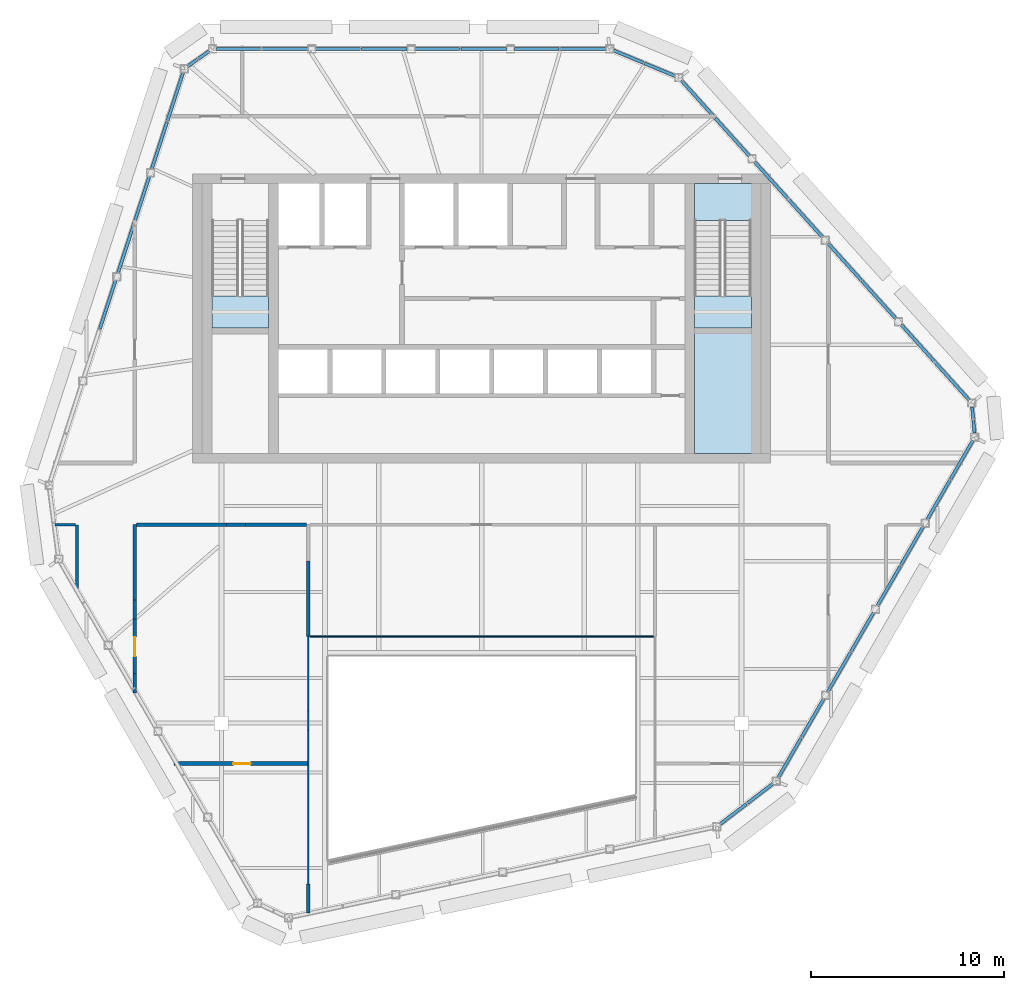
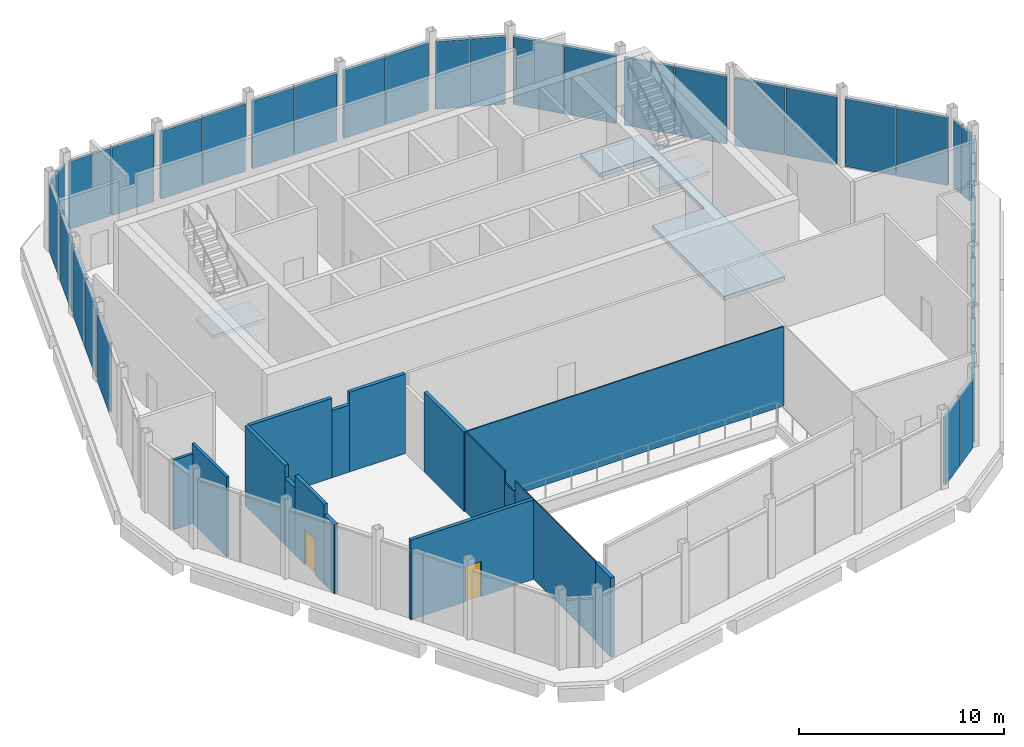
# One storey, part 8 of 12: 37 plates, 17 walls, 3 slabs, 2 doors, 2 openings, 10 elements without a shape of their own.
"""IFC4 building model written with IfcOpenShell, lengths in metres."""

import ifcopenshell
import ifcopenshell.guid

model = None  # the IFC model being written
_history = None  # IfcOwnerHistory: only IFC2X3 demands one
_inside = {}  # id of a spatial element -> (the spatial element, [elements in it])
_under = {}  # id of a project, library or spatial element -> (it, [spatial elements below it])
_declared = {}  # id of a project -> (the project, [libraries it declares])
_typed = {}  # id of a type object -> (the type object, [elements of that type])
_made_of = {}  # id of a material, layer set ... -> (it, [elements and type objects made of it])


def new_model(schema):
    """Start an empty IFC model of exactly this schema.

    Asked for "IFC4X3", IfcOpenShell would pick the latest addendum, in which some entities
    have other attributes; the version numbers below select the first issue.
    IFC2X3 requires an IfcOwnerHistory on every rooted entity: one is made here for all.
    """
    global model, _history
    if schema == "IFC4X3":
        model = ifcopenshell.file(schema_version=(4, 3, 0, 0))
    else:
        model = ifcopenshell.file(schema=schema)
    _inside.clear()
    _under.clear()
    _declared.clear()
    _typed.clear()
    _made_of.clear()
    _history = None
    if model.schema == "IFC2X3":
        org = make("IfcOrganization", Name="unknown")
        user = make(
            "IfcPersonAndOrganization",
            ThePerson=make("IfcPerson", FamilyName="unknown"),
            TheOrganization=org,
        )
        app = make(
            "IfcApplication",
            ApplicationDeveloper=org,
            Version="unknown",
            ApplicationFullName="unknown",
            ApplicationIdentifier="unknown",
        )
        _history = make(
            "IfcOwnerHistory",
            OwningUser=user,
            OwningApplication=app,
            ChangeAction="ADDED",
            CreationDate=0,
        )
    return model


def make(cls, **values):
    """One entity of the class cls with the attributes given. An attribute that is None is left unset."""
    return model.create_entity(
        cls, **{name: value for name, value in values.items() if value is not None}
    )


def rooted(cls, **values):
    """An entity with a GlobalId (a new one), such as an element, a storey or a relation."""
    return make(cls, GlobalId=ifcopenshell.guid.new(), OwnerHistory=_history, **values)


def si_unit(unit_type, name, prefix=None):
    """IfcSIUnit, for example si_unit("LENGTHUNIT", "METRE", prefix="MILLI")."""
    return make("IfcSIUnit", UnitType=unit_type, Prefix=prefix, Name=name)


def assignment(units):
    """IfcUnitAssignment: the units of a project."""
    return None if units is None else make("IfcUnitAssignment", Units=units)


def point(xyz):
    """IfcCartesianPoint."""
    return None if xyz is None else make("IfcCartesianPoint", Coordinates=xyz)


def direction(xyz):
    """IfcDirection."""
    return None if xyz is None else make("IfcDirection", DirectionRatios=xyz)


def frame(location, z_axis=None, x_axis=None):
    """IfcAxis2Placement3D, a coordinate frame: its origin and axes. An axis left out is left unset."""
    return make(
        "IfcAxis2Placement3D",
        Location=point(location),
        Axis=direction(z_axis),
        RefDirection=direction(x_axis),
    )


def frame_2d(location, x_axis=None):
    """IfcAxis2Placement2D, a coordinate frame in the plane: its origin and x axis."""
    return make(
        "IfcAxis2Placement2D", Location=point(location), RefDirection=direction(x_axis)
    )


def origin():
    """The frame at (0, 0, 0) with its axes left unset."""
    return frame((0.0, 0.0, 0.0))


def origin_2d():
    """The frame at (0, 0) in the plane with its x axis left unset."""
    return frame_2d((0.0, 0.0))


def place(relative_to, where):
    """IfcLocalPlacement: puts the frame where relative to a parent placement (None: the world)."""
    return make(
        "IfcLocalPlacement", PlacementRelTo=relative_to, RelativePlacement=where
    )


def context(
    kind, dimensions, precision=None, world=None, true_north=None, identifier=None
):
    """IfcGeometricRepresentationContext, for example the 3D "Model" context."""
    return make(
        "IfcGeometricRepresentationContext",
        ContextIdentifier=identifier,
        ContextType=kind,
        CoordinateSpaceDimension=dimensions,
        Precision=precision,
        WorldCoordinateSystem=world,
        TrueNorth=true_north,
    )


def subcontext(parent, identifier, kind, view, scale=None):
    """IfcGeometricRepresentationSubContext, for example "Body" below "Model"."""
    return make(
        "IfcGeometricRepresentationSubContext",
        ContextIdentifier=identifier,
        ContextType=kind,
        ParentContext=parent,
        TargetScale=scale,
        TargetView=view,
    )


def project(units=None, contexts=None):
    """IfcProject with its units and contexts."""
    return rooted(
        "IfcProject",
        Name="project",
        RepresentationContexts=contexts,
        UnitsInContext=assignment(units),
    )


def spatial(cls, under=None, at=None, **own):
    """A site, building, storey or space (cls), placed at a placement, below another one or the project."""
    s = rooted(cls, ObjectPlacement=at, **own)
    if under is not None:
        _under.setdefault(under.id(), (under, []))[1].append(s)
    return s


def polyline(points):
    """IfcPolyline through the points."""
    return make("IfcPolyline", Points=[point(p) for p in points])


def profile(cls, at=None, kind="AREA", **sizes):
    """A parametric profile (cls). Its sizes go by their IFC names, for example OverallWidth=200.0."""
    return make(cls, ProfileType=kind, Position=at, **sizes)


def rectangle(**sizes):
    """IfcRectangleProfileDef."""
    return profile("IfcRectangleProfileDef", **sizes)


def outline(outer, holes=None, kind="AREA"):
    """IfcArbitraryClosedProfileDef: a profile drawn as a closed curve; with holes, ...WithVoids."""
    if holes is None:
        return make("IfcArbitraryClosedProfileDef", ProfileType=kind, OuterCurve=outer)
    return make(
        "IfcArbitraryProfileDefWithVoids",
        ProfileType=kind,
        OuterCurve=outer,
        InnerCurves=holes,
    )


def extrude(swept, where, along, depth):
    """IfcExtrudedAreaSolid: the profile swept, set in the frame where, extruded along a direction by depth."""
    return make(
        "IfcExtrudedAreaSolid",
        SweptArea=swept,
        Position=where,
        ExtrudedDirection=direction(along),
        Depth=depth,
    )


def shape(context_of_items, identifier, shape_type, items):
    """IfcShapeRepresentation: the items that make up one representation, for example the "Body"."""
    return make(
        "IfcShapeRepresentation",
        ContextOfItems=context_of_items,
        RepresentationIdentifier=identifier,
        RepresentationType=shape_type,
        Items=items,
    )


def material(Name=None, Category=None):
    """IfcMaterial."""
    return make("IfcMaterial", Name=Name, Category=Category)


def layer(
    of_material, thickness, ventilated=None, Name=None, Category=None, Priority=None
):
    """IfcMaterialLayer: one layer of a wall or slab, of a material (None: an air gap)."""
    return make(
        "IfcMaterialLayer",
        Material=of_material,
        LayerThickness=thickness,
        IsVentilated=ventilated,
        Name=Name,
        Category=Category,
        Priority=Priority,
    )


def layer_set(layers, Name=None):
    """IfcMaterialLayerSet."""
    return make("IfcMaterialLayerSet", MaterialLayers=layers, LayerSetName=Name)


def made_of(thing, what):
    """Note that an element or type object is made of a material, layer set ...; save() writes the relation."""
    if what is not None:
        _made_of.setdefault(what.id(), (what, []))[1].append(thing)
    return thing


def type_object(cls, material=None, **own):
    """A type object (cls), such as IfcWallType, which elements share."""
    return made_of(rooted(cls, **own), material)


def element(
    cls,
    number,
    at=None,
    inside=None,
    cuts=None,
    type_object=None,
    material=None,
    context=None,
    identifier="Body",
    shape_type=None,
    held_by="IfcProductDefinitionShape",
    body=None,
    shapes=None,
    **own,
):
    """One element of the class cls, such as IfcWall. Its Tag is "e" and its number.

    at: its placement. inside: the storey or other place that contains it. cuts: it is an
    opening in that element (IfcRelVoidsElement). A single representation is given by context,
    identifier, shape_type and body (its items); several are given by shapes. held_by: the class
    of the entity that holds the representations. save() writes the other relations.
    """
    e = rooted(cls, Tag="e%d" % number, ObjectPlacement=at, **own)
    if body is not None:
        shapes = [shape(context, identifier, shape_type, body)]
    if shapes is not None:
        e.Representation = make(held_by, Representations=shapes)
    if inside is not None:
        _inside.setdefault(inside.id(), (inside, []))[1].append(e)
    if cuts is not None:
        rooted(
            "IfcRelVoidsElement", RelatingBuildingElement=cuts, RelatedOpeningElement=e
        )
    if type_object is not None:
        _typed.setdefault(type_object.id(), (type_object, []))[1].append(e)
    return made_of(e, material)


def fill(opening, filler):
    """IfcRelFillsElement: the door or window that sits in an opening."""
    return rooted(
        "IfcRelFillsElement",
        RelatingOpeningElement=opening,
        RelatedBuildingElement=filler,
    )


def aggregate(whole, parts):
    """IfcRelAggregates: a whole, such as a stair, and the parts it consists of."""
    return rooted("IfcRelAggregates", RelatingObject=whole, RelatedObjects=parts)


def save(model, path):
    """Write the relations noted so far, then the file.

    IfcRelAggregates (storeys below a building ...), IfcRelContainedInSpatialStructure (elements
    in a storey), IfcRelDefinesByType, IfcRelAssociatesMaterial and IfcRelDeclares: one each for
    every whole, place, type object, material and project.
    """
    for whole, parts in _under.values():
        aggregate(whole, parts)
    for where, things in _inside.values():
        rooted(
            "IfcRelContainedInSpatialStructure",
            RelatedElements=things,
            RelatingStructure=where,
        )
    for kind, things in _typed.values():
        rooted("IfcRelDefinesByType", RelatedObjects=things, RelatingType=kind)
    for what, things in _made_of.values():
        rooted("IfcRelAssociatesMaterial", RelatedObjects=things, RelatingMaterial=what)
    for by, libraries in _declared.values():
        rooted("IfcRelDeclares", RelatingContext=by, RelatedDefinitions=libraries)
    model.write(path)


model = new_model("IFC4")

# Units and contexts
model_context = context("Model", 3, precision=1e-05, world=origin(), true_north=direction((0.0, 1.0)))
body_context = subcontext(model_context, "Body", "Model", "MODEL_VIEW")
ifc_project = project(units=[si_unit("LENGTHUNIT", "METRE"), si_unit("AREAUNIT", "SQUARE_METRE"), si_unit("VOLUMEUNIT", "CUBIC_METRE"), si_unit("PLANEANGLEUNIT", "RADIAN"), si_unit("MASSUNIT", "GRAM", prefix="KILO")], contexts=[model_context])

# Site, building, storey
site_placement = place(None, origin())
site = spatial("IfcSite", under=ifc_project, at=site_placement, CompositionType="ELEMENT")
building_placement = place(site_placement, origin())
building = spatial("IfcBuilding", under=site, at=building_placement, Name="Isthmus Gate Tower", CompositionType="ELEMENT")
storey_placement = place(building_placement, frame((0.0, 0.0, 301.10009765625)))
storey = spatial("IfcBuildingStorey", under=building, at=storey_placement, Name="C1", CompositionType="ELEMENT", Elevation=301.10009765625)

# Slab
ifc_material_1 = material(Name="Concrete f'c 40 MPa", Category="concrete")
ifc_layer_1 = layer(ifc_material_1, 0.25)
ifc_layer_set_1 = layer_set([ifc_layer_1], Name="CORE FLOOR SLAB 250")
slab_type_1 = type_object("IfcSlabType", Name="CORE FLOOR SLAB 250", PredefinedType="FLOOR", material=ifc_layer_set_1)
slab_1_placement = place(storey_placement, frame((0.0, 0.0, -0.25)))
element("IfcSlab", 1, at=slab_1_placement, inside=storey, type_object=slab_type_1, Name="C1 core floor", PredefinedType="FLOOR", context=body_context, shape_type="SweptSolid", body=[
    extrude(outline(polyline([(11.050048828125, 14.5), (11.050048828125, 12.597900390625), (14.0, 12.597900390625), (14.0, 7.5), (11.050048828125, 7.5), (11.050048828125, 0.5), (14.5, 0.5), (14.5, 14.5), (11.050048828125, 14.5)])), origin(), (0.0, 0.0, 1.0), 0.25),
])

# Curtain wall, plates
ifc_material_2 = material(Name="Aluminium, pale champagne anodised", Category="aluminium")
ifc_layer_2 = layer(ifc_material_2, 0.199951171875)
ifc_layer_set_2 = layer_set([ifc_layer_2], Name="CW-2 LOUVRE CURTAIN WALL 200 DEEP")
curtain_wall_type = type_object("IfcCurtainWallType", Name="CW-2 LOUVRE CURTAIN WALL 200 DEEP", PredefinedType="NOTDEFINED", material=ifc_layer_set_2)
curtain_wall_1_placement = place(storey_placement, origin())
curtain_wall_1 = element("IfcCurtainWall", 2, at=curtain_wall_1_placement, inside=storey, type_object=curtain_wall_type, Name="CW-2 E00 C1", PredefinedType="NOTDEFINED")
ifc_material_3 = material(Name="Aluminium louvre blades, pale champagne anodised", Category="aluminium")
ifc_layer_3 = layer(ifc_material_3, 0.159912109375)
ifc_layer_set_3 = layer_set([ifc_layer_3], Name="CW-2 LOUVRE PANEL 160")
plate_type = type_object("IfcPlateType", Name="CW-2 LOUVRE PANEL 160", PredefinedType="CURTAIN_PANEL", material=ifc_layer_set_3)
plate_1_placement = place(storey_placement, frame((5.26904296875, 21.5, -0.000244140625), z_axis=(0.0, 0.0, 1.0), x_axis=(-1.0, 0.0, 0.0)))
plate_1 = element("IfcPlate", 3, at=plate_1_placement, type_object=plate_type, Name="CW-2 louvre panel", PredefinedType="CURTAIN_PANEL", context=body_context, shape_type="SweptSolid", body=[
    extrude(rectangle(XDim=2.37548828125, YDim=0.159912109375, at=origin_2d()), origin(), (0.0, 0.0, 1.0), 4.0341796875),
])
plate_2_placement = place(storey_placement, frame((2.863525390625, 21.5, -0.000244140625), z_axis=(0.0, 0.0, 1.0), x_axis=(-1.0, 0.0, 0.0)))
plate_2 = element("IfcPlate", 4, at=plate_2_placement, type_object=plate_type, Name="CW-2 louvre panel", PredefinedType="CURTAIN_PANEL", context=body_context, shape_type="SweptSolid", body=[
    extrude(rectangle(XDim=2.3154296875, YDim=0.159912109375, at=origin_2d()), origin(), (0.0, 0.0, 1.0), 4.0341796875),
])
plate_3_placement = place(storey_placement, frame((0.11181640625, 21.5, -0.000244140625), z_axis=(0.0, 0.0, 1.0), x_axis=(-1.0, 0.0, 0.0)))
plate_3 = element("IfcPlate", 5, at=plate_3_placement, type_object=plate_type, Name="CW-2 louvre panel", PredefinedType="CURTAIN_PANEL", context=body_context, shape_type="SweptSolid", body=[
    extrude(rectangle(XDim=2.37548828125, YDim=0.159912109375, at=origin_2d()), origin(), (0.0, 0.0, 1.0), 4.0341796875),
])
plate_4_placement = place(storey_placement, frame((-2.293701171875, 21.5, -0.000244140625), z_axis=(0.0, 0.0, 1.0), x_axis=(-1.0, 0.0, 0.0)))
plate_4 = element("IfcPlate", 6, at=plate_4_placement, type_object=plate_type, Name="CW-2 louvre panel", PredefinedType="CURTAIN_PANEL", context=body_context, shape_type="SweptSolid", body=[
    extrude(rectangle(XDim=2.3154296875, YDim=0.159912109375, at=origin_2d()), origin(), (0.0, 0.0, 1.0), 4.0341796875),
])
plate_5_placement = place(storey_placement, frame((-5.045654296875, 21.5, -0.000244140625), z_axis=(0.0, 0.0, 1.0), x_axis=(-1.0, 0.0, 0.0)))
plate_5 = element("IfcPlate", 7, at=plate_5_placement, type_object=plate_type, Name="CW-2 louvre panel", PredefinedType="CURTAIN_PANEL", context=body_context, shape_type="SweptSolid", body=[
    extrude(rectangle(XDim=2.37548828125, YDim=0.159912109375, at=origin_2d()), origin(), (0.0, 0.0, 1.0), 4.0341796875),
])
plate_6_placement = place(storey_placement, frame((-7.451171875, 21.5, -0.000244140625), z_axis=(0.0, 0.0, 1.0), x_axis=(-1.0, 0.0, 0.0)))
plate_6 = element("IfcPlate", 8, at=plate_6_placement, type_object=plate_type, Name="CW-2 louvre panel", PredefinedType="CURTAIN_PANEL", context=body_context, shape_type="SweptSolid", body=[
    extrude(rectangle(XDim=2.3154296875, YDim=0.159912109375, at=origin_2d()), origin(), (0.0, 0.0, 1.0), 4.0341796875),
])
plate_7_placement = place(storey_placement, frame((-10.202880859375, 21.5, -0.000244140625), z_axis=(0.0, 0.0, 1.0), x_axis=(-1.0, 0.0, 0.0)))
plate_7 = element("IfcPlate", 9, at=plate_7_placement, type_object=plate_type, Name="CW-2 louvre panel", PredefinedType="CURTAIN_PANEL", context=body_context, shape_type="SweptSolid", body=[
    extrude(rectangle(XDim=2.37548828125, YDim=0.159912109375, at=origin_2d()), origin(), (0.0, 0.0, 1.0), 4.0341796875),
])
plate_8_placement = place(storey_placement, frame((-12.6083984375, 21.5, -0.000244140625), z_axis=(0.0, 0.0, 1.0), x_axis=(-1.0, 0.0, 0.0)))
plate_8 = element("IfcPlate", 10, at=plate_8_placement, type_object=plate_type, Name="CW-2 louvre panel", PredefinedType="CURTAIN_PANEL", context=body_context, shape_type="SweptSolid", body=[
    extrude(rectangle(XDim=2.3154296875, YDim=0.159912109375, at=origin_2d()), origin(), (0.0, 0.0, 1.0), 4.0341796875),
])
aggregate(curtain_wall_1, [plate_1, plate_2, plate_3, plate_4, plate_5, plate_6, plate_7, plate_8])

curtain_wall_2_placement = place(storey_placement, origin())
curtain_wall_2 = element("IfcCurtainWall", 11, at=curtain_wall_2_placement, inside=storey, type_object=curtain_wall_type, Name="CW-2 E01 C1", PredefinedType="NOTDEFINED")
plate_9_placement = place(storey_placement, frame((-14.416259765625, 21.185546875, -0.000244140625), z_axis=(0.0, 0.0, 1.0), x_axis=(-0.81785959165, -0.57541783805, 0.0)))
plate_9 = element("IfcPlate", 12, at=plate_9_placement, type_object=plate_type, Name="CW-2 louvre panel", PredefinedType="CURTAIN_PANEL", context=body_context, shape_type="SweptSolid", body=[
    extrude(rectangle(XDim=0.686767578125, YDim=0.159912109375, at=origin_2d()), origin(), (0.0, 0.0, 1.0), 4.0341796875),
])
plate_10_placement = place(storey_placement, frame((-15.00244140625, 20.773193359375, -0.000244140625), z_axis=(0.0, 0.0, 1.0), x_axis=(-0.81785959165, -0.57541783805, 0.0)))
plate_10 = element("IfcPlate", 13, at=plate_10_placement, type_object=plate_type, Name="CW-2 louvre panel", PredefinedType="CURTAIN_PANEL", context=body_context, shape_type="SweptSolid", body=[
    extrude(rectangle(XDim=0.626708984375, YDim=0.159912109375, at=origin_2d()), origin(), (0.0, 0.0, 1.0), 4.0341796875),
])
aggregate(curtain_wall_2, [plate_9, plate_10])

curtain_wall_3_placement = place(storey_placement, origin())
curtain_wall_3 = element("IfcCurtainWall", 14, at=curtain_wall_3_placement, inside=storey, type_object=curtain_wall_type, Name="CW-2 E02 C1", PredefinedType="NOTDEFINED")
plate_11_placement = place(storey_placement, frame((-15.895263671875, 19.028076171875, -0.000244140625), z_axis=(0.0, 0.0, 1.0), x_axis=(-0.309016994375, -0.951056516295, 0.0)))
plate_11 = element("IfcPlate", 15, at=plate_11_placement, type_object=plate_type, Name="CW-2 louvre panel", PredefinedType="CURTAIN_PANEL", context=body_context, shape_type="SweptSolid", body=[
    extrude(rectangle(XDim=2.638427734375, YDim=0.159912109375, at=origin_2d()), origin(), (0.0, 0.0, 1.0), 4.0341796875),
])
plate_12_placement = place(storey_placement, frame((-16.719970703125, 16.490234375, -0.000244140625), z_axis=(0.0, 0.0, 1.0), x_axis=(-0.309016994375, -0.951056516295, 0.0)))
plate_12 = element("IfcPlate", 16, at=plate_12_placement, type_object=plate_type, Name="CW-2 louvre panel", PredefinedType="CURTAIN_PANEL", context=body_context, shape_type="SweptSolid", body=[
    extrude(rectangle(XDim=2.578369140625, YDim=0.159912109375, at=origin_2d()), origin(), (0.0, 0.0, 1.0), 4.0341796875),
])
plate_13_placement = place(storey_placement, frame((-17.651611328125, 13.623046875, -0.000244140625), z_axis=(0.0, 0.0, 1.0), x_axis=(-0.309016994375, -0.951056516295, 0.0)))
plate_13 = element("IfcPlate", 17, at=plate_13_placement, type_object=plate_type, Name="CW-2 louvre panel", PredefinedType="CURTAIN_PANEL", context=body_context, shape_type="SweptSolid", body=[
    extrude(rectangle(XDim=2.638427734375, YDim=0.159912109375, at=origin_2d()), origin(), (0.0, 0.0, 1.0), 4.0341796875),
])
plate_14_placement = place(storey_placement, frame((-18.47607421875, 11.08544921875, -0.000244140625), z_axis=(0.0, 0.0, 1.0), x_axis=(-0.309016994375, -0.951056516295, 0.0)))
plate_14 = element("IfcPlate", 18, at=plate_14_placement, type_object=plate_type, Name="CW-2 louvre panel", PredefinedType="CURTAIN_PANEL", context=body_context, shape_type="SweptSolid", body=[
    extrude(rectangle(XDim=2.578369140625, YDim=0.159912109375, at=origin_2d()), origin(), (0.0, 0.0, 1.0), 4.0341796875),
])
plate_15_placement = place(storey_placement, frame((-19.40771484375, 8.21826171875, -0.000244140625), z_axis=(0.0, 0.0, 1.0), x_axis=(-0.309016994375, -0.951056516295, 0.0)))
plate_15 = element("IfcPlate", 19, at=plate_15_placement, type_object=plate_type, Name="CW-2 louvre panel", PredefinedType="CURTAIN_PANEL", context=body_context, shape_type="SweptSolid", body=[
    extrude(rectangle(XDim=2.638427734375, YDim=0.159912109375, at=origin_2d()), origin(), (0.0, 0.0, 1.0), 4.0341796875),
])
aggregate(curtain_wall_3, [plate_11, plate_12, plate_13, plate_14, plate_15])

curtain_wall_4_placement = place(storey_placement, origin())
curtain_wall_4 = element("IfcCurtainWall", 20, at=curtain_wall_4_placement, inside=storey, type_object=curtain_wall_type, Name="CW-2 E07 C1", PredefinedType="NOTDEFINED")
plate_16_placement = place(storey_placement, frame((13.064453125, -18.22021484375, -0.000244140625), z_axis=(0.0, 0.0, 1.0), x_axis=(0.794188594387, 0.607671355706, 0.0)))
plate_16 = element("IfcPlate", 21, at=plate_16_placement, type_object=plate_type, Name="CW-2 louvre panel", PredefinedType="CURTAIN_PANEL", context=body_context, shape_type="SweptSolid", body=[
    extrude(rectangle(XDim=1.732421875, YDim=0.159912109375, at=origin_2d()), origin(), (0.0, 0.0, 1.0), 4.0341796875),
])
plate_17_placement = place(storey_placement, frame((14.464111328125, -17.1494140625, -0.000244140625), z_axis=(0.0, 0.0, 1.0), x_axis=(0.794188594387, 0.607671355706, 0.0)))
plate_17 = element("IfcPlate", 22, at=plate_17_placement, type_object=plate_type, Name="CW-2 louvre panel", PredefinedType="CURTAIN_PANEL", context=body_context, shape_type="SweptSolid", body=[
    extrude(rectangle(XDim=1.67236328125, YDim=0.159912109375, at=origin_2d()), origin(), (0.0, 0.0, 1.0), 4.0341796875),
])
aggregate(curtain_wall_4, [plate_16, plate_17])

curtain_wall_5_placement = place(storey_placement, origin())
curtain_wall_5 = element("IfcCurtainWall", 23, at=curtain_wall_5_placement, inside=storey, type_object=curtain_wall_type, Name="CW-2 E08 C1", PredefinedType="NOTDEFINED")
plate_18_placement = place(storey_placement, frame((15.985107421875, -15.313232421875, -0.000244140625), z_axis=(0.0, 0.0, 1.0), x_axis=(0.5, 0.866025403784, 0.0)))
plate_18 = element("IfcPlate", 24, at=plate_18_placement, type_object=plate_type, Name="CW-2 louvre panel", PredefinedType="CURTAIN_PANEL", context=body_context, shape_type="SweptSolid", body=[
    extrude(rectangle(XDim=2.37548828125, YDim=0.159912109375, at=origin_2d()), origin(), (0.0, 0.0, 1.0), 4.0341796875),
])
plate_19_placement = place(storey_placement, frame((17.187744140625, -13.22998046875, -0.000244140625), z_axis=(0.0, 0.0, 1.0), x_axis=(0.5, 0.866025403784, 0.0)))
plate_19 = element("IfcPlate", 25, at=plate_19_placement, type_object=plate_type, Name="CW-2 louvre panel", PredefinedType="CURTAIN_PANEL", context=body_context, shape_type="SweptSolid", body=[
    extrude(rectangle(XDim=2.3154296875, YDim=0.159912109375, at=origin_2d()), origin(), (0.0, 0.0, 1.0), 4.0341796875),
])
plate_20_placement = place(storey_placement, frame((18.563720703125, -10.8466796875, -0.000244140625), z_axis=(0.0, 0.0, 1.0), x_axis=(0.5, 0.866025403784, 0.0)))
plate_20 = element("IfcPlate", 26, at=plate_20_placement, type_object=plate_type, Name="CW-2 louvre panel", PredefinedType="CURTAIN_PANEL", context=body_context, shape_type="SweptSolid", body=[
    extrude(rectangle(XDim=2.37548828125, YDim=0.159912109375, at=origin_2d()), origin(), (0.0, 0.0, 1.0), 4.0341796875),
])
plate_21_placement = place(storey_placement, frame((19.766357421875, -8.763671875, -0.000244140625), z_axis=(0.0, 0.0, 1.0), x_axis=(0.5, 0.866025403784, 0.0)))
plate_21 = element("IfcPlate", 27, at=plate_21_placement, type_object=plate_type, Name="CW-2 louvre panel", PredefinedType="CURTAIN_PANEL", context=body_context, shape_type="SweptSolid", body=[
    extrude(rectangle(XDim=2.3154296875, YDim=0.159912109375, at=origin_2d()), origin(), (0.0, 0.0, 1.0), 4.0341796875),
])
plate_22_placement = place(storey_placement, frame((21.142333984375, -6.38037109375, -0.000244140625), z_axis=(0.0, 0.0, 1.0), x_axis=(0.5, 0.866025403784, 0.0)))
plate_22 = element("IfcPlate", 28, at=plate_22_placement, type_object=plate_type, Name="CW-2 louvre panel", PredefinedType="CURTAIN_PANEL", context=body_context, shape_type="SweptSolid", body=[
    extrude(rectangle(XDim=2.37548828125, YDim=0.159912109375, at=origin_2d()), origin(), (0.0, 0.0, 1.0), 4.0341796875),
])
plate_23_placement = place(storey_placement, frame((22.344970703125, -4.297119140625, -0.000244140625), z_axis=(0.0, 0.0, 1.0), x_axis=(0.5, 0.866025403784, 0.0)))
plate_23 = element("IfcPlate", 29, at=plate_23_placement, type_object=plate_type, Name="CW-2 louvre panel", PredefinedType="CURTAIN_PANEL", context=body_context, shape_type="SweptSolid", body=[
    extrude(rectangle(XDim=2.3154296875, YDim=0.159912109375, at=origin_2d()), origin(), (0.0, 0.0, 1.0), 4.0341796875),
])
plate_24_placement = place(storey_placement, frame((23.720947265625, -1.9140625, -0.000244140625), z_axis=(0.0, 0.0, 1.0), x_axis=(0.5, 0.866025403784, 0.0)))
plate_24 = element("IfcPlate", 30, at=plate_24_placement, type_object=plate_type, Name="CW-2 louvre panel", PredefinedType="CURTAIN_PANEL", context=body_context, shape_type="SweptSolid", body=[
    extrude(rectangle(XDim=2.37548828125, YDim=0.159912109375, at=origin_2d()), origin(), (0.0, 0.0, 1.0), 4.0341796875),
])
plate_25_placement = place(storey_placement, frame((24.923828125, 0.169189453125, -0.000244140625), z_axis=(0.0, 0.0, 1.0), x_axis=(0.5, 0.866025403784, 0.0)))
plate_25 = element("IfcPlate", 31, at=plate_25_placement, type_object=plate_type, Name="CW-2 louvre panel", PredefinedType="CURTAIN_PANEL", context=body_context, shape_type="SweptSolid", body=[
    extrude(rectangle(XDim=2.3154296875, YDim=0.159912109375, at=origin_2d()), origin(), (0.0, 0.0, 1.0), 4.0341796875),
])
aggregate(curtain_wall_5, [plate_18, plate_19, plate_20, plate_21, plate_22, plate_23, plate_24, plate_25])

curtain_wall_6_placement = place(storey_placement, origin())
curtain_wall_6 = element("IfcCurtainWall", 32, at=curtain_wall_6_placement, inside=storey, type_object=curtain_wall_type, Name="CW-2 E09 C1", PredefinedType="NOTDEFINED")
plate_26_placement = place(storey_placement, frame((25.555419921875, 1.89208984375, -0.000244140625), z_axis=(0.0, 0.0, 1.0), x_axis=(-0.089396669717, 0.995996102123, 0.0)))
plate_26 = element("IfcPlate", 33, at=plate_26_placement, type_object=plate_type, Name="CW-2 louvre panel", PredefinedType="CURTAIN_PANEL", context=body_context, shape_type="SweptSolid", body=[
    extrude(rectangle(XDim=0.686767578125, YDim=0.159912109375, at=origin_2d()), origin(), (0.0, 0.0, 1.0), 4.0341796875),
])
plate_27_placement = place(storey_placement, frame((25.4912109375, 2.60595703125, -0.000244140625), z_axis=(0.0, 0.0, 1.0), x_axis=(-0.089396669717, 0.995996102123, 0.0)))
plate_27 = element("IfcPlate", 34, at=plate_27_placement, type_object=plate_type, Name="CW-2 louvre panel", PredefinedType="CURTAIN_PANEL", context=body_context, shape_type="SweptSolid", body=[
    extrude(rectangle(XDim=0.626708984375, YDim=0.159912109375, at=origin_2d()), origin(), (0.0, 0.0, 1.0), 4.0341796875),
])
aggregate(curtain_wall_6, [plate_26, plate_27])

curtain_wall_7_placement = place(storey_placement, origin())
curtain_wall_7 = element("IfcCurtainWall", 35, at=curtain_wall_7_placement, inside=storey, type_object=curtain_wall_type, Name="CW-2 E10 C1", PredefinedType="NOTDEFINED")
plate_28_placement = place(storey_placement, frame((24.426513671875, 4.251708984375, -0.000244140625), z_axis=(0.0, 0.0, 1.0), x_axis=(-0.669130606359, 0.743144825477, 0.0)))
plate_28 = element("IfcPlate", 36, at=plate_28_placement, type_object=plate_type, Name="CW-2 louvre panel", PredefinedType="CURTAIN_PANEL", context=body_context, shape_type="SweptSolid", body=[
    extrude(rectangle(XDim=2.638427734375, YDim=0.159912109375, at=origin_2d()), origin(), (0.0, 0.0, 1.0), 4.0341796875),
])
plate_29_placement = place(storey_placement, frame((22.64111328125, 6.234619140625, -0.000244140625), z_axis=(0.0, 0.0, 1.0), x_axis=(-0.669130606359, 0.743144825477, 0.0)))
plate_29 = element("IfcPlate", 37, at=plate_29_placement, type_object=plate_type, Name="CW-2 louvre panel", PredefinedType="CURTAIN_PANEL", context=body_context, shape_type="SweptSolid", body=[
    extrude(rectangle(XDim=2.578369140625, YDim=0.159912109375, at=origin_2d()), origin(), (0.0, 0.0, 1.0), 4.0341796875),
])
plate_30_placement = place(storey_placement, frame((20.623779296875, 8.47509765625, -0.000244140625), z_axis=(0.0, 0.0, 1.0), x_axis=(-0.669130606359, 0.743144825477, 0.0)))
plate_30 = element("IfcPlate", 38, at=plate_30_placement, type_object=plate_type, Name="CW-2 louvre panel", PredefinedType="CURTAIN_PANEL", context=body_context, shape_type="SweptSolid", body=[
    extrude(rectangle(XDim=2.638427734375, YDim=0.159912109375, at=origin_2d()), origin(), (0.0, 0.0, 1.0), 4.0341796875),
])
plate_31_placement = place(storey_placement, frame((18.83837890625, 10.4580078125, -0.000244140625), z_axis=(0.0, 0.0, 1.0), x_axis=(-0.669130606359, 0.743144825477, 0.0)))
plate_31 = element("IfcPlate", 39, at=plate_31_placement, type_object=plate_type, Name="CW-2 louvre panel", PredefinedType="CURTAIN_PANEL", context=body_context, shape_type="SweptSolid", body=[
    extrude(rectangle(XDim=2.578369140625, YDim=0.159912109375, at=origin_2d()), origin(), (0.0, 0.0, 1.0), 4.0341796875),
])
plate_32_placement = place(storey_placement, frame((16.821044921875, 12.698486328125, -0.000244140625), z_axis=(0.0, 0.0, 1.0), x_axis=(-0.669130606359, 0.743144825477, 0.0)))
plate_32 = element("IfcPlate", 40, at=plate_32_placement, type_object=plate_type, Name="CW-2 louvre panel", PredefinedType="CURTAIN_PANEL", context=body_context, shape_type="SweptSolid", body=[
    extrude(rectangle(XDim=2.638427734375, YDim=0.159912109375, at=origin_2d()), origin(), (0.0, 0.0, 1.0), 4.0341796875),
])
plate_33_placement = place(storey_placement, frame((15.03564453125, 14.681396484375, -0.000244140625), z_axis=(0.0, 0.0, 1.0), x_axis=(-0.669130606359, 0.743144825477, 0.0)))
plate_33 = element("IfcPlate", 41, at=plate_33_placement, type_object=plate_type, Name="CW-2 louvre panel", PredefinedType="CURTAIN_PANEL", context=body_context, shape_type="SweptSolid", body=[
    extrude(rectangle(XDim=2.578369140625, YDim=0.159912109375, at=origin_2d()), origin(), (0.0, 0.0, 1.0), 4.0341796875),
])
plate_34_placement = place(storey_placement, frame((13.018310546875, 16.921630859375, -0.000244140625), z_axis=(0.0, 0.0, 1.0), x_axis=(-0.669130606359, 0.743144825477, 0.0)))
plate_34 = element("IfcPlate", 42, at=plate_34_placement, type_object=plate_type, Name="CW-2 louvre panel", PredefinedType="CURTAIN_PANEL", context=body_context, shape_type="SweptSolid", body=[
    extrude(rectangle(XDim=2.638427734375, YDim=0.159912109375, at=origin_2d()), origin(), (0.0, 0.0, 1.0), 4.0341796875),
])
plate_35_placement = place(storey_placement, frame((11.23291015625, 18.904541015625, -0.000244140625), z_axis=(0.0, 0.0, 1.0), x_axis=(-0.669130606359, 0.743144825477, 0.0)))
plate_35 = element("IfcPlate", 43, at=plate_35_placement, type_object=plate_type, Name="CW-2 louvre panel", PredefinedType="CURTAIN_PANEL", context=body_context, shape_type="SweptSolid", body=[
    extrude(rectangle(XDim=2.578369140625, YDim=0.159912109375, at=origin_2d()), origin(), (0.0, 0.0, 1.0), 4.0341796875),
])
aggregate(curtain_wall_7, [plate_28, plate_29, plate_30, plate_31, plate_32, plate_33, plate_34, plate_35])

curtain_wall_8_placement = place(storey_placement, origin())
curtain_wall_8 = element("IfcCurtainWall", 44, at=curtain_wall_8_placement, inside=storey, type_object=curtain_wall_type, Name="CW-2 E11 C1", PredefinedType="NOTDEFINED")
plate_36_placement = place(storey_placement, frame((9.2470703125, 20.42431640625, -0.000244140625), z_axis=(0.0, 0.0, 1.0), x_axis=(-0.923353128387, 0.383951820282, 0.0)))
plate_36 = element("IfcPlate", 45, at=plate_36_placement, type_object=plate_type, Name="CW-2 louvre panel", PredefinedType="CURTAIN_PANEL", context=body_context, shape_type="SweptSolid", body=[
    extrude(rectangle(XDim=1.732421875, YDim=0.159912109375, at=origin_2d()), origin(), (0.0, 0.0, 1.0), 4.0341796875),
])
plate_37_placement = place(storey_placement, frame((7.61962890625, 21.100830078125, -0.000244140625), z_axis=(0.0, 0.0, 1.0), x_axis=(-0.923353128387, 0.383951820282, 0.0)))
plate_37 = element("IfcPlate", 46, at=plate_37_placement, type_object=plate_type, Name="CW-2 louvre panel", PredefinedType="CURTAIN_PANEL", context=body_context, shape_type="SweptSolid", body=[
    extrude(rectangle(XDim=1.67236328125, YDim=0.159912109375, at=origin_2d()), origin(), (0.0, 0.0, 1.0), 4.0341796875),
])
aggregate(curtain_wall_8, [plate_36, plate_37])

# Stair, slab
ifc_material_4 = material(Name="Concrete f'c 40 MPa", Category="concrete")
stair_type = type_object("IfcStairType", Name="CORE STAIR 30 RISERS", PredefinedType="HALF_TURN_STAIR", material=ifc_material_4)
stair_1_placement = place(storey_placement, origin())
stair_1 = element("IfcStair", 47, at=stair_1_placement, inside=storey, type_object=stair_type, Name="C1 Exit Stair 1", PredefinedType="HALF_TURN_STAIR")
ifc_material_5 = material(Name="Concrete f'c 40 MPa", Category="concrete")
ifc_layer_4 = layer(ifc_material_5, 0.199951171875)
ifc_layer_set_4 = layer_set([ifc_layer_4])
slab_type_2 = type_object("IfcSlabType", Name="STAIR LANDING RC 200", PredefinedType="LANDING", material=ifc_layer_set_4)
slab_2_placement = place(storey_placement, frame((0.0, 0.0, 2.2998046875)))
slab_2 = element("IfcSlab", 48, at=slab_2_placement, type_object=slab_type_2, Name="ST1 landing 1", PredefinedType="LANDING", context=body_context, shape_type="SweptSolid", body=[
    extrude(outline(polyline([(-14.0, 8.679931640625), (-14.0, 7.0), (-11.050048828125, 7.0), (-11.050048828125, 8.679931640625), (-14.0, 8.679931640625)])), origin(), (0.0, 0.0, 1.0), 0.2001953125),
])
aggregate(stair_1, [slab_2])

stair_2_placement = place(storey_placement, origin())
stair_2 = element("IfcStair", 49, at=stair_2_placement, inside=storey, type_object=stair_type, Name="C1 Exit Stair 2", PredefinedType="HALF_TURN_STAIR")
slab_3_placement = place(storey_placement, frame((0.0, 0.0, 2.2998046875)))
slab_3 = element("IfcSlab", 50, at=slab_3_placement, type_object=slab_type_2, Name="ST2 landing 1", PredefinedType="LANDING", context=body_context, shape_type="SweptSolid", body=[
    extrude(outline(polyline([(11.050048828125, 8.679931640625), (11.050048828125, 7.0), (14.0, 7.0), (14.0, 8.679931640625), (11.050048828125, 8.679931640625)])), origin(), (0.0, 0.0, 1.0), 0.2001953125),
])
aggregate(stair_2, [slab_3])

# Wall, opening, door
ifc_material_6 = material(Name="Concrete f'c 30 MPa", Category="concrete")
ifc_layer_5 = layer(ifc_material_6, 0.199951171875)
ifc_layer_set_5 = layer_set([ifc_layer_5], Name="Fire-rated block wall 200")
wall_type_1 = type_object("IfcWallType", Name="Fire-rated block wall 200", PredefinedType="PARTITIONING", material=ifc_layer_set_5)
wall_1_placement = place(storey_placement, frame((-15.954833984375, -15.60009765625, 0.0), z_axis=(0.0, 0.0, 1.0), x_axis=(1.0, 0.0, 0.0)))
wall_1 = element("IfcWall", 51, at=wall_1_placement, inside=storey, type_object=wall_type_1, Name="Fire-rated wall", PredefinedType="PARTITIONING", context=body_context, shape_type="SweptSolid", body=[
    extrude(rectangle(XDim=6.9248046875, YDim=0.199951171875, at=frame_2d((3.46240234375, 0.0))), origin(), (0.0, 0.0, 1.0), 4.75),
])
opening_1_placement = place(wall_1_placement, frame((3.070068359375, 0.0, 0.0)))
opening_1 = element("IfcOpeningElement", 52, at=opening_1_placement, cuts=wall_1, Name="Opening DP77-08", PredefinedType="OPENING", context=body_context, shape_type="SweptSolid", body=[
    extrude(rectangle(XDim=0.89990234375, YDim=2.10009765625, at=frame_2d((0.449951171875, 1.050048828125))), frame((0.0, 0.10986328125, 0.0), z_axis=(0.0, -1.0, 0.0), x_axis=(1.0, 0.0, 0.0)), (0.0, 0.0, 1.0), 0.219970703125),
])
ifc_material_7 = material(Name="Steel fire door with intumescent seals", Category="steel")
door_type_1 = type_object("IfcDoorType", Name="Fire door 900 x 2100", OperationType="SINGLE_SWING_LEFT", PredefinedType="DOOR", material=ifc_material_7)
door_1_placement = place(opening_1_placement, origin())
door_1 = element("IfcDoor", 53, at=door_1_placement, inside=storey, type_object=door_type_1, Name="Door DP77-08", OperationType="SINGLE_SWING_LEFT", OverallHeight=2.10009765625, OverallWidth=0.89990234375, PredefinedType="DOOR", context=body_context, shape_type="SweptSolid", body=[
    extrude(rectangle(XDim=0.89990234375, YDim=2.10009765625, at=frame_2d((0.449951171875, 1.050048828125))), frame((0.0, 0.02490234375, 0.0), z_axis=(0.0, -1.0, 0.0), x_axis=(1.0, 0.0, 0.0)), (0.0, 0.0, 1.0), 0.050048828125),
])
fill(opening_1, door_1)

# Walls
wall_2_placement = place(storey_placement, frame((-17.89990234375, -3.199951171875, 0.0), z_axis=(0.0, 0.0, 1.0), x_axis=(1.0, 0.0, 0.0)))
element("IfcWall", 54, at=wall_2_placement, inside=storey, type_object=wall_type_1, Name="Fire-rated wall", PredefinedType="PARTITIONING", context=body_context, shape_type="SweptSolid", body=[
    extrude(rectangle(XDim=4.648193359375, YDim=0.199951171875, at=frame_2d((2.32421875, 0.0))), origin(), (0.0, 0.0, 1.0), 4.75),
])
wall_3_placement = place(storey_placement, frame((-13.251708984375, -3.199951171875, 0.0), z_axis=(0.0, 0.0, 1.0), x_axis=(1.0, 0.0, 0.0)))
element("IfcWall", 55, at=wall_3_placement, inside=storey, type_object=wall_type_1, Name="Fire-rated wall", PredefinedType="PARTITIONING", context=body_context, shape_type="SweptSolid", body=[
    extrude(rectangle(XDim=1.0, YDim=0.199951171875, at=frame_2d((0.5, 0.0))), origin(), (0.0, 0.0, 1.0), 4.00048828125),
])
wall_4_placement = place(storey_placement, frame((-12.251708984375, -3.199951171875, 0.0), z_axis=(0.0, 0.0, 1.0), x_axis=(1.0, 0.0, 0.0)))
element("IfcWall", 56, at=wall_4_placement, inside=storey, type_object=wall_type_1, Name="Fire-rated wall", PredefinedType="PARTITIONING", context=body_context, shape_type="SweptSolid", body=[
    extrude(rectangle(XDim=3.151611328125, YDim=0.199951171875, at=frame_2d((1.57568359375, 0.0))), origin(), (0.0, 0.0, 1.0), 4.75),
])
wall_5_placement = place(storey_placement, frame((-18.0, -11.93310546875, 0.0), z_axis=(0.0, 0.0, 1.0), x_axis=(0.0, 1.0, 0.0)))
element("IfcWall", 57, at=wall_5_placement, inside=storey, type_object=wall_type_1, Name="Fire-rated wall", PredefinedType="PARTITIONING", context=body_context, shape_type="SweptSolid", body=[
    extrude(rectangle(XDim=1.0, YDim=0.199951171875, at=frame_2d((0.5, 0.0))), origin(), (0.0, 0.0, 1.0), 4.134033203125),
])

# Wall, opening, door
wall_6_placement = place(storey_placement, frame((-18.0, -10.93310546875, 0.0), z_axis=(0.0, 0.0, 1.0), x_axis=(0.0, 1.0, 0.0)))
wall_6 = element("IfcWall", 58, at=wall_6_placement, inside=storey, type_object=wall_type_1, Name="Fire-rated wall", PredefinedType="PARTITIONING", context=body_context, shape_type="SweptSolid", body=[
    extrude(rectangle(XDim=2.829345703125, YDim=0.199951171875, at=frame_2d((1.41455078125, 0.0))), origin(), (0.0, 0.0, 1.0), 4.75),
])
opening_2_placement = place(wall_6_placement, frame((0.89990234375, 0.0, 0.0)))
opening_2 = element("IfcOpeningElement", 59, at=opening_2_placement, cuts=wall_6, Name="Opening DP77-06", PredefinedType="OPENING", context=body_context, shape_type="SweptSolid", body=[
    extrude(rectangle(XDim=1.0, YDim=2.10009765625, at=frame_2d((0.5, 1.050048828125))), frame((0.0, 0.10986328125, 0.0), z_axis=(0.0, -1.0, 0.0), x_axis=(1.0, 0.0, 0.0)), (0.0, 0.0, 1.0), 0.219970703125),
])
ifc_material_8 = material(Name="Steel fire door with intumescent seals", Category="steel")
door_type_2 = type_object("IfcDoorType", Name="Fire door 1000 x 2100", OperationType="SINGLE_SWING_LEFT", PredefinedType="DOOR", material=ifc_material_8)
door_2_placement = place(opening_2_placement, origin())
door_2 = element("IfcDoor", 60, at=door_2_placement, inside=storey, type_object=door_type_2, Name="Door DP77-06", OperationType="SINGLE_SWING_LEFT", OverallHeight=2.10009765625, OverallWidth=1.0, PredefinedType="DOOR", context=body_context, shape_type="SweptSolid", body=[
    extrude(rectangle(XDim=1.0, YDim=2.10009765625, at=frame_2d((0.5, 1.050048828125))), frame((0.0, 0.02490234375, 0.0), z_axis=(0.0, -1.0, 0.0), x_axis=(1.0, 0.0, 0.0)), (0.0, 0.0, 1.0), 0.050048828125),
])
fill(opening_2, door_2)

# Walls
wall_7_placement = place(storey_placement, frame((-18.0, -8.103759765625, 0.0), z_axis=(0.0, 0.0, 1.0), x_axis=(0.0, 1.0, 0.0)))
element("IfcWall", 61, at=wall_7_placement, inside=storey, type_object=wall_type_1, Name="Fire-rated wall", PredefinedType="PARTITIONING", context=body_context, shape_type="SweptSolid", body=[
    extrude(rectangle(XDim=1.0, YDim=0.199951171875, at=frame_2d((0.5, 0.0))), origin(), (0.0, 0.0, 1.0), 4.00048828125),
])
wall_8_placement = place(storey_placement, frame((-18.0, -7.103759765625, 0.0), z_axis=(0.0, 0.0, 1.0), x_axis=(0.0, 1.0, 0.0)))
element("IfcWall", 62, at=wall_8_placement, inside=storey, type_object=wall_type_1, Name="Fire-rated wall", PredefinedType="PARTITIONING", context=body_context, shape_type="SweptSolid", body=[
    extrude(rectangle(XDim=3.90380859375, YDim=0.199951171875, at=frame_2d((1.951904296875, 0.0))), origin(), (0.0, 0.0, 1.0), 4.75),
])
wall_9_placement = place(storey_placement, frame((-9.0, -23.348876953125, 0.0), z_axis=(0.0, 0.0, 1.0), x_axis=(0.0, 1.0, 0.0)))
element("IfcWall", 63, at=wall_9_placement, inside=storey, type_object=wall_type_1, Name="Fire-rated wall", PredefinedType="PARTITIONING", context=body_context, shape_type="SweptSolid", body=[
    extrude(rectangle(XDim=1.5029296875, YDim=0.199951171875, at=frame_2d((0.75146484375, 0.0))), origin(), (0.0, 0.0, 1.0), 4.75),
])
wall_10_placement = place(storey_placement, frame((-9.0, -9.0, 0.0), z_axis=(0.0, 0.0, 1.0), x_axis=(0.0, 1.0, 0.0)))
element("IfcWall", 64, at=wall_10_placement, inside=storey, type_object=wall_type_1, Name="Fire-rated wall", PredefinedType="PARTITIONING", context=body_context, shape_type="SweptSolid", body=[
    extrude(rectangle(XDim=3.910888671875, YDim=0.199951171875, at=frame_2d((1.95556640625, 0.0))), origin(), (0.0, 0.0, 1.0), 4.75),
])
ifc_material_9 = material(Name="Fire-rated laminated glass in steel frame", Category="steel")
ifc_layer_6 = layer(ifc_material_9, 0.06005859375)
ifc_layer_set_6 = layer_set([ifc_layer_6], Name="Fire-rated glazed atrium screen 60")
wall_type_2 = type_object("IfcWallType", Name="Fire-rated glazed atrium screen 60", PredefinedType="PARTITIONING", material=ifc_layer_set_6)
wall_11_placement = place(storey_placement, frame((-8.89990234375, -9.0, 0.0), z_axis=(0.0, 0.0, 1.0), x_axis=(1.0, 0.0, 0.0)))
element("IfcWall", 65, at=wall_11_placement, inside=storey, type_object=wall_type_2, Name="Atrium screen", PredefinedType="PARTITIONING", context=body_context, shape_type="SweptSolid", body=[
    extrude(rectangle(XDim=17.824951171875, YDim=0.06005859375, at=frame_2d((8.91259765625, 0.0))), origin(), (0.0, 0.0, 1.0), 4.75),
])
wall_12_placement = place(storey_placement, frame((-9.0, -21.845947265625, 0.0), z_axis=(0.0, 0.0, 1.0), x_axis=(0.0, 1.0, 0.0)))
element("IfcWall", 66, at=wall_12_placement, inside=storey, type_object=wall_type_2, Name="Atrium screen", PredefinedType="PARTITIONING", context=body_context, shape_type="SweptSolid", body=[
    extrude(rectangle(XDim=6.244873046875, YDim=0.06005859375, at=frame_2d((3.12255859375, 0.0))), origin(), (0.0, 0.0, 1.0), 4.75),
])
wall_13_placement = place(storey_placement, frame((-9.0, -15.59912109375, 0.0), z_axis=(0.0, 0.0, 1.0), x_axis=(0.0, 1.0, 0.0)))
element("IfcWall", 67, at=wall_13_placement, inside=storey, type_object=wall_type_2, Name="Atrium screen", PredefinedType="PARTITIONING", context=body_context, shape_type="SweptSolid", body=[
    extrude(rectangle(XDim=1.73486328125, YDim=0.06005859375, at=frame_2d((0.867431640625, 0.0))), origin(), (0.0, 0.0, 1.0), 4.75),
])
wall_14_placement = place(storey_placement, frame((-9.0, -13.8642578125, 0.0), z_axis=(0.0, 0.0, 1.0), x_axis=(0.0, 1.0, 0.0)))
element("IfcWall", 68, at=wall_14_placement, inside=storey, type_object=wall_type_2, Name="Atrium screen", PredefinedType="PARTITIONING", context=body_context, shape_type="SweptSolid", body=[
    extrude(rectangle(XDim=1.0, YDim=0.06005859375, at=frame_2d((0.5, 0.0))), origin(), (0.0, 0.0, 1.0), 4.070556640625),
])
wall_15_placement = place(storey_placement, frame((-9.0, -12.8642578125, 0.0), z_axis=(0.0, 0.0, 1.0), x_axis=(0.0, 1.0, 0.0)))
element("IfcWall", 69, at=wall_15_placement, inside=storey, type_object=wall_type_2, Name="Atrium screen", PredefinedType="PARTITIONING", context=body_context, shape_type="SweptSolid", body=[
    extrude(rectangle(XDim=3.86328125, YDim=0.06005859375, at=frame_2d((1.931640625, 0.0))), origin(), (0.0, 0.0, 1.0), 4.75),
])
ifc_material_10 = material(Name="Gypsum board on cold-formed steel studs", Category="steel")
ifc_layer_7 = layer(ifc_material_10, 0.14990234375)
ifc_layer_set_7 = layer_set([ifc_layer_7])
wall_type_3 = type_object("IfcWallType", Name="Partition 150 gypsum board on steel studs", PredefinedType="PARTITIONING", material=ifc_layer_set_7)
wall_16_placement = place(storey_placement, frame((-22.1513671875, -3.199951171875, 0.0), z_axis=(0.0, 0.0, 1.0), x_axis=(1.0, 0.0, 0.0)))
element("IfcWall", 70, at=wall_16_placement, inside=storey, type_object=wall_type_3, Name="Partition", PredefinedType="PARTITIONING", context=body_context, shape_type="SweptSolid", body=[
    extrude(rectangle(XDim=1.076416015625, YDim=0.14990234375, at=frame_2d((0.5380859375, 0.0))), origin(), (0.0, 0.0, 1.0), 4.14990234375),
])
wall_17_placement = place(storey_placement, frame((-21.0, -6.56689453125, 0.0), z_axis=(0.0, 0.0, 1.0), x_axis=(0.0, 1.0, 0.0)))
element("IfcWall", 71, at=wall_17_placement, inside=storey, type_object=wall_type_3, Name="Partition", PredefinedType="PARTITIONING", context=body_context, shape_type="SweptSolid", body=[
    extrude(rectangle(XDim=3.365966796875, YDim=0.14990234375, at=frame_2d((1.68310546875, 0.0))), origin(), (0.0, 0.0, 1.0), 4.75),
])

save(model, "model.ifc")
